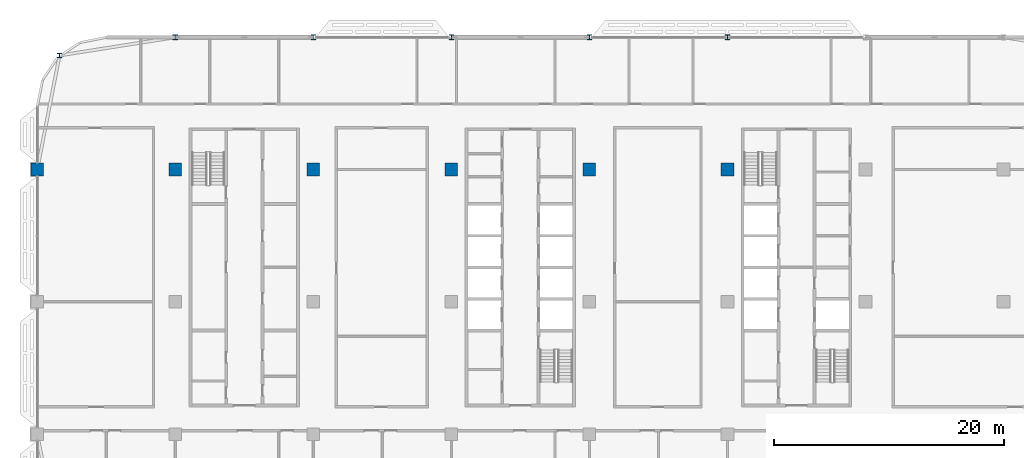
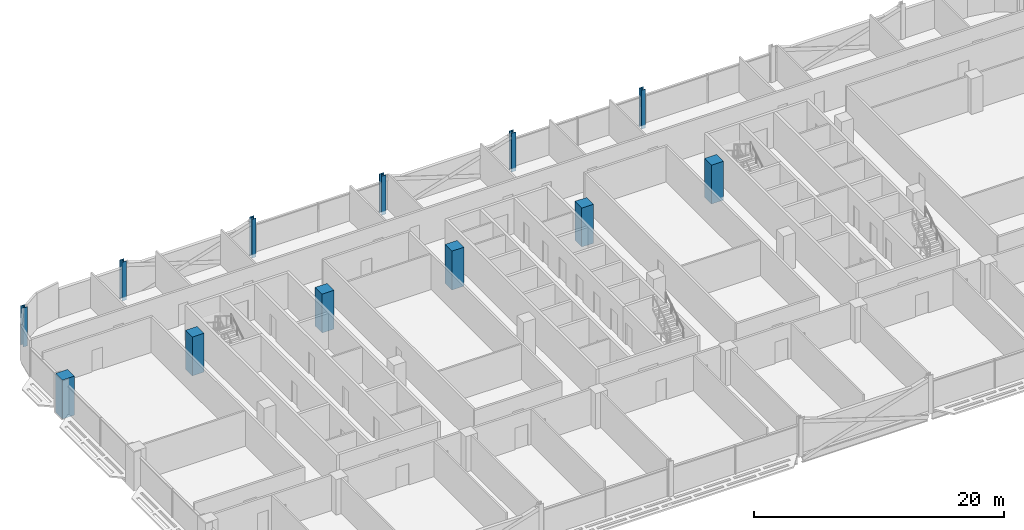
# One storey, part 2 of 30: 12 columns.
"""IFC4 building model written with IfcOpenShell, lengths in metres."""

from ifc_helpers import new_model, si_unit, direction, frame, origin, origin_2d, place, context, subcontext, project, spatial, rectangle, i_section, extrude, material, material_profile, profile_set, type_object, element, save


model = new_model("IFC4")

# Units and contexts
model_context = context("Model", 3, precision=1e-05, world=origin(), true_north=direction((0.0, 1.0)))
body_context = subcontext(model_context, "Body", "Model", "MODEL_VIEW")
ifc_project = project(units=[si_unit("LENGTHUNIT", "METRE"), si_unit("AREAUNIT", "SQUARE_METRE"), si_unit("VOLUMEUNIT", "CUBIC_METRE"), si_unit("PLANEANGLEUNIT", "RADIAN"), si_unit("MASSUNIT", "GRAM", prefix="KILO")], contexts=[model_context])

# Site, building, storey
site_placement = place(None, origin())
site = spatial("IfcSite", under=ifc_project, at=site_placement, CompositionType="ELEMENT")
building_placement = place(site_placement, origin())
building = spatial("IfcBuilding", under=site, at=building_placement, Name="Mahtab Terrace Research Tower", CompositionType="ELEMENT")
storey_placement = place(building_placement, frame((0.0, 0.0, 205.300048828125)))
storey = spatial("IfcBuildingStorey", under=building, at=storey_placement, Name="L49", CompositionType="ELEMENT", Elevation=205.300048828125)

# Columns
ifc_material_1 = material(Name="Concrete C70/85", Category="concrete")
ifc_material_profile_1 = material_profile(ifc_material_1, rectangle(XDim=1.10009765625, YDim=1.10009765625, at=origin_2d()), Name="RC column 1100x1100")
ifc_profile_set_1 = profile_set([ifc_material_profile_1], Name="Concrete C70/85")
column_type_1 = type_object("IfcColumnType", Name="RC column 1100x1100", PredefinedType="COLUMN", material=ifc_profile_set_1)
for number, where, z_axis, x_axis, name in (
    (1, (-42.0, 11.5, -0.340087890625), (0.0, 0.0, 1.0), (1.0, 0.0, 0.0), "Column RC-1C L49"),
    (2, (-30.0, 11.5, -0.340087890625), (0.0, 0.0, 1.0), (1.0, 0.0, 0.0), "Column RC-2C L49"),
    (3, (-18.0, 11.5, -0.340087890625), (0.0, 0.0, 1.0), (1.0, 0.0, 0.0), "Column RC-3C L49"),
    (4, (-6.0, 11.5, -0.340087890625), (0.0, 0.0, 1.0), (1.0, 0.0, 0.0), "Column RC-4C L49"),
    (5, (6.0, 11.5, -0.340087890625), (0.0, 0.0, 1.0), (1.0, 0.0, 0.0), "Column RC-5C L49"),
    (6, (18.0, 11.5, -0.340087890625), (0.0, 0.0, 1.0), (1.0, 0.0, 0.0), "Column RC-6C L49"),
):
    element("IfcColumn", number, at=place(storey_placement, frame(where, z_axis=z_axis, x_axis=x_axis)), inside=storey, type_object=column_type_1, Name=name, PredefinedType="COLUMN", context=body_context, shape_type="SweptSolid", body=[
        extrude(rectangle(XDim=1.10009765625, YDim=1.10009765625, at=origin_2d()), origin(), (0.0, 0.0, 1.0), 3.800048828125),
    ])
ifc_material_2 = material(Name="Steel ASTM A992 Gr 50", Category="steel")
ifc_material_profile_2 = material_profile(ifc_material_2, i_section(OverallWidth=0.4013671875, OverallDepth=0.398681640625, WebThickness=0.02490234375, FlangeThickness=0.03955078125, at=origin_2d()), Name="W14X211")
ifc_profile_set_2 = profile_set([ifc_material_profile_2], Name="Steel ASTM A992 Gr 50")
column_type_2 = type_object("IfcColumnType", Name="W14x211 column CS14211", PredefinedType="COLUMN", material=ifc_profile_set_2)
for number, where, z_axis, x_axis, name in (
    (7, (18.0, 23.0, -0.340087890625), (0.0, 0.0, 1.0), (1.0, 0.0, 0.0), "Column SC-003 L49"),
    (8, (6.0, 23.0, -0.340087890625), (0.0, 0.0, 1.0), (1.0, 0.0, 0.0), "Column SC-004 L49"),
    (9, (-6.0, 23.0, -0.340087890625), (0.0, 0.0, 1.0), (1.0, 0.0, 0.0), "Column SC-005 L49"),
    (10, (-18.0, 23.0, -0.340087890625), (0.0, 0.0, 1.0), (1.0, 0.0, 0.0), "Column SC-006 L49"),
    (11, (-30.0, 23.0, -0.340087890625), (0.0, 0.0, 1.0), (1.0, 0.0, 0.0), "Column SC-007 L49"),
    (12, (-40.06201171875, 21.416015625, -0.340087890625), (0.0, 0.0, 1.0), (1.0, 0.0, 0.0), "Column SC-024 L49"),
):
    element("IfcColumn", number, at=place(storey_placement, frame(where, z_axis=z_axis, x_axis=x_axis)), inside=storey, type_object=column_type_2, Name=name, PredefinedType="COLUMN", context=body_context, shape_type="SweptSolid", body=[
        extrude(i_section(OverallWidth=0.4013671875, OverallDepth=0.398681640625, WebThickness=0.02490234375, FlangeThickness=0.03955078125, at=origin_2d()), origin(), (0.0, 0.0, 1.0), 3.800048828125),
    ])

save(model, "model.ifc")
